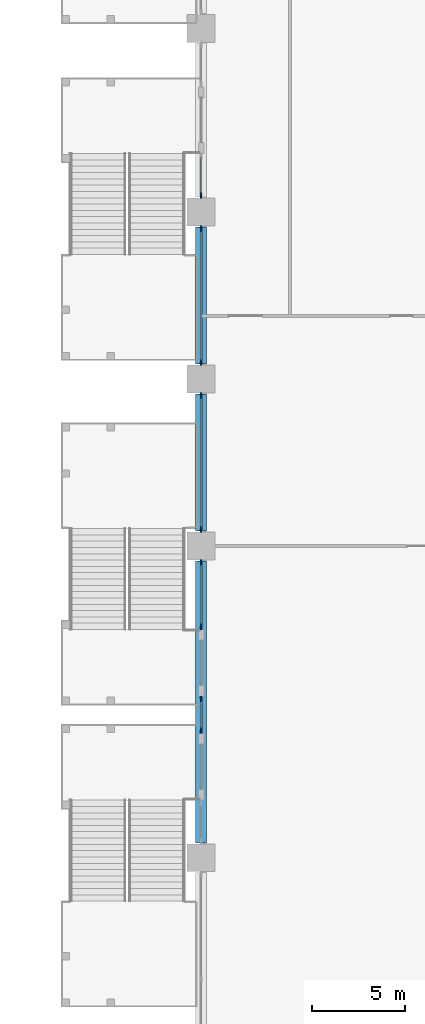
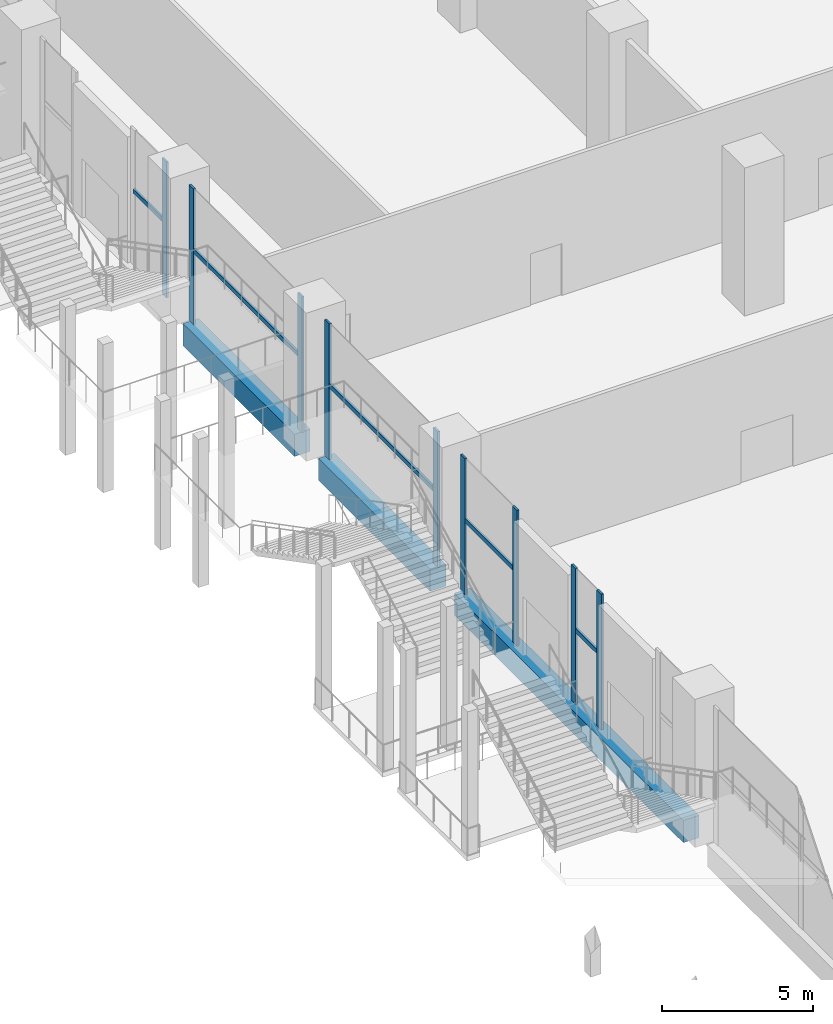
# One storey, part 6 of 49: 14 members, 3 beams, 5 elements without a shape of their own.
"""IFC4 building model written with IfcOpenShell, lengths in metres."""

import ifcopenshell
import ifcopenshell.guid

model = None  # the IFC model being written
_history = None  # IfcOwnerHistory: only IFC2X3 demands one
_inside = {}  # id of a spatial element -> (the spatial element, [elements in it])
_under = {}  # id of a project, library or spatial element -> (it, [spatial elements below it])
_declared = {}  # id of a project -> (the project, [libraries it declares])
_typed = {}  # id of a type object -> (the type object, [elements of that type])
_made_of = {}  # id of a material, layer set ... -> (it, [elements and type objects made of it])


def new_model(schema):
    """Start an empty IFC model of exactly this schema.

    Asked for "IFC4X3", IfcOpenShell would pick the latest addendum, in which some entities
    have other attributes; the version numbers below select the first issue.
    IFC2X3 requires an IfcOwnerHistory on every rooted entity: one is made here for all.
    """
    global model, _history
    if schema == "IFC4X3":
        model = ifcopenshell.file(schema_version=(4, 3, 0, 0))
    else:
        model = ifcopenshell.file(schema=schema)
    _inside.clear()
    _under.clear()
    _declared.clear()
    _typed.clear()
    _made_of.clear()
    _history = None
    if model.schema == "IFC2X3":
        org = make("IfcOrganization", Name="unknown")
        user = make(
            "IfcPersonAndOrganization",
            ThePerson=make("IfcPerson", FamilyName="unknown"),
            TheOrganization=org,
        )
        app = make(
            "IfcApplication",
            ApplicationDeveloper=org,
            Version="unknown",
            ApplicationFullName="unknown",
            ApplicationIdentifier="unknown",
        )
        _history = make(
            "IfcOwnerHistory",
            OwningUser=user,
            OwningApplication=app,
            ChangeAction="ADDED",
            CreationDate=0,
        )
    return model


def make(cls, **values):
    """One entity of the class cls with the attributes given. An attribute that is None is left unset."""
    return model.create_entity(
        cls, **{name: value for name, value in values.items() if value is not None}
    )


def rooted(cls, **values):
    """An entity with a GlobalId (a new one), such as an element, a storey or a relation."""
    return make(cls, GlobalId=ifcopenshell.guid.new(), OwnerHistory=_history, **values)


def si_unit(unit_type, name, prefix=None):
    """IfcSIUnit, for example si_unit("LENGTHUNIT", "METRE", prefix="MILLI")."""
    return make("IfcSIUnit", UnitType=unit_type, Prefix=prefix, Name=name)


def assignment(units):
    """IfcUnitAssignment: the units of a project."""
    return None if units is None else make("IfcUnitAssignment", Units=units)


def point(xyz):
    """IfcCartesianPoint."""
    return None if xyz is None else make("IfcCartesianPoint", Coordinates=xyz)


def direction(xyz):
    """IfcDirection."""
    return None if xyz is None else make("IfcDirection", DirectionRatios=xyz)


def frame(location, z_axis=None, x_axis=None):
    """IfcAxis2Placement3D, a coordinate frame: its origin and axes. An axis left out is left unset."""
    return make(
        "IfcAxis2Placement3D",
        Location=point(location),
        Axis=direction(z_axis),
        RefDirection=direction(x_axis),
    )


def frame_2d(location, x_axis=None):
    """IfcAxis2Placement2D, a coordinate frame in the plane: its origin and x axis."""
    return make(
        "IfcAxis2Placement2D", Location=point(location), RefDirection=direction(x_axis)
    )


def origin():
    """The frame at (0, 0, 0) with its axes left unset."""
    return frame((0.0, 0.0, 0.0))


def origin_2d():
    """The frame at (0, 0) in the plane with its x axis left unset."""
    return frame_2d((0.0, 0.0))


def place(relative_to, where):
    """IfcLocalPlacement: puts the frame where relative to a parent placement (None: the world)."""
    return make(
        "IfcLocalPlacement", PlacementRelTo=relative_to, RelativePlacement=where
    )


def context(
    kind, dimensions, precision=None, world=None, true_north=None, identifier=None
):
    """IfcGeometricRepresentationContext, for example the 3D "Model" context."""
    return make(
        "IfcGeometricRepresentationContext",
        ContextIdentifier=identifier,
        ContextType=kind,
        CoordinateSpaceDimension=dimensions,
        Precision=precision,
        WorldCoordinateSystem=world,
        TrueNorth=true_north,
    )


def subcontext(parent, identifier, kind, view, scale=None):
    """IfcGeometricRepresentationSubContext, for example "Body" below "Model"."""
    return make(
        "IfcGeometricRepresentationSubContext",
        ContextIdentifier=identifier,
        ContextType=kind,
        ParentContext=parent,
        TargetScale=scale,
        TargetView=view,
    )


def project(units=None, contexts=None):
    """IfcProject with its units and contexts."""
    return rooted(
        "IfcProject",
        Name="project",
        RepresentationContexts=contexts,
        UnitsInContext=assignment(units),
    )


def spatial(cls, under=None, at=None, **own):
    """A site, building, storey or space (cls), placed at a placement, below another one or the project."""
    s = rooted(cls, ObjectPlacement=at, **own)
    if under is not None:
        _under.setdefault(under.id(), (under, []))[1].append(s)
    return s


def profile(cls, at=None, kind="AREA", **sizes):
    """A parametric profile (cls). Its sizes go by their IFC names, for example OverallWidth=200.0."""
    return make(cls, ProfileType=kind, Position=at, **sizes)


def rectangle(**sizes):
    """IfcRectangleProfileDef."""
    return profile("IfcRectangleProfileDef", **sizes)


def extrude(swept, where, along, depth):
    """IfcExtrudedAreaSolid: the profile swept, set in the frame where, extruded along a direction by depth."""
    return make(
        "IfcExtrudedAreaSolid",
        SweptArea=swept,
        Position=where,
        ExtrudedDirection=direction(along),
        Depth=depth,
    )


def shape(context_of_items, identifier, shape_type, items):
    """IfcShapeRepresentation: the items that make up one representation, for example the "Body"."""
    return make(
        "IfcShapeRepresentation",
        ContextOfItems=context_of_items,
        RepresentationIdentifier=identifier,
        RepresentationType=shape_type,
        Items=items,
    )


def material(Name=None, Category=None):
    """IfcMaterial."""
    return make("IfcMaterial", Name=Name, Category=Category)


def material_profile(
    of_material, cross_section, Name=None, Category=None, Priority=None
):
    """IfcMaterialProfile: a cross section and its material."""
    return make(
        "IfcMaterialProfile",
        Name=Name,
        Material=of_material,
        Profile=cross_section,
        Priority=Priority,
        Category=Category,
    )


def profile_set(profiles, Name=None, composite=None):
    """IfcMaterialProfileSet."""
    return make(
        "IfcMaterialProfileSet",
        Name=Name,
        MaterialProfiles=profiles,
        CompositeProfile=composite,
    )


def made_of(thing, what):
    """Note that an element or type object is made of a material, layer set ...; save() writes the relation."""
    if what is not None:
        _made_of.setdefault(what.id(), (what, []))[1].append(thing)
    return thing


def type_object(cls, material=None, **own):
    """A type object (cls), such as IfcWallType, which elements share."""
    return made_of(rooted(cls, **own), material)


def element(
    cls,
    number,
    at=None,
    inside=None,
    cuts=None,
    type_object=None,
    material=None,
    context=None,
    identifier="Body",
    shape_type=None,
    held_by="IfcProductDefinitionShape",
    body=None,
    shapes=None,
    **own,
):
    """One element of the class cls, such as IfcWall. Its Tag is "e" and its number.

    at: its placement. inside: the storey or other place that contains it. cuts: it is an
    opening in that element (IfcRelVoidsElement). A single representation is given by context,
    identifier, shape_type and body (its items); several are given by shapes. held_by: the class
    of the entity that holds the representations. save() writes the other relations.
    """
    e = rooted(cls, Tag="e%d" % number, ObjectPlacement=at, **own)
    if body is not None:
        shapes = [shape(context, identifier, shape_type, body)]
    if shapes is not None:
        e.Representation = make(held_by, Representations=shapes)
    if inside is not None:
        _inside.setdefault(inside.id(), (inside, []))[1].append(e)
    if cuts is not None:
        rooted(
            "IfcRelVoidsElement", RelatingBuildingElement=cuts, RelatedOpeningElement=e
        )
    if type_object is not None:
        _typed.setdefault(type_object.id(), (type_object, []))[1].append(e)
    return made_of(e, material)


def aggregate(whole, parts):
    """IfcRelAggregates: a whole, such as a stair, and the parts it consists of."""
    return rooted("IfcRelAggregates", RelatingObject=whole, RelatedObjects=parts)


def save(model, path):
    """Write the relations noted so far, then the file.

    IfcRelAggregates (storeys below a building ...), IfcRelContainedInSpatialStructure (elements
    in a storey), IfcRelDefinesByType, IfcRelAssociatesMaterial and IfcRelDeclares: one each for
    every whole, place, type object, material and project.
    """
    for whole, parts in _under.values():
        aggregate(whole, parts)
    for where, things in _inside.values():
        rooted(
            "IfcRelContainedInSpatialStructure",
            RelatedElements=things,
            RelatingStructure=where,
        )
    for kind, things in _typed.values():
        rooted("IfcRelDefinesByType", RelatedObjects=things, RelatingType=kind)
    for what, things in _made_of.values():
        rooted("IfcRelAssociatesMaterial", RelatedObjects=things, RelatingMaterial=what)
    for by, libraries in _declared.values():
        rooted("IfcRelDeclares", RelatingContext=by, RelatedDefinitions=libraries)
    model.write(path)


model = new_model("IFC4")

# Units and contexts
model_context = context("Model", 3, precision=1e-05, world=origin(), true_north=direction((0.0, 1.0)))
body_context = subcontext(model_context, "Body", "Model", "MODEL_VIEW")
ifc_project = project(units=[si_unit("LENGTHUNIT", "METRE"), si_unit("AREAUNIT", "SQUARE_METRE"), si_unit("VOLUMEUNIT", "CUBIC_METRE"), si_unit("PLANEANGLEUNIT", "RADIAN"), si_unit("MASSUNIT", "GRAM", prefix="KILO")], contexts=[model_context])

# Site, building, storey
site_placement = place(None, origin())
site = spatial("IfcSite", under=ifc_project, at=site_placement, CompositionType="ELEMENT")
building_placement = place(site_placement, origin())
building = spatial("IfcBuilding", under=site, at=building_placement, Name="Candeia Pilgrim Tower and Theatre", CompositionType="ELEMENT")
storey_placement = place(building_placement, frame((0.0, 0.0, 17.0)))
storey = spatial("IfcBuildingStorey", under=building, at=storey_placement, Name="L02", CompositionType="ELEMENT", Elevation=17.0)

# Curtain wall, members
ifc_material_1 = material(Name="Aluminium framed podium glazing", Category="aluminium")
curtain_wall_type = type_object("IfcCurtainWallType", Name="CW-P curtain wall", PredefinedType="NOTDEFINED", material=ifc_material_1)
curtain_wall_1_placement = place(storey_placement, origin())
curtain_wall_1 = element("IfcCurtainWall", 1, at=curtain_wall_1_placement, inside=storey, type_object=curtain_wall_type, Name="Curtain wall CW-P L02.011", PredefinedType="NOTDEFINED")
ifc_material_2 = material(Name="Anodised aluminium", Category="aluminium")
ifc_material_profile_1 = material_profile(ifc_material_2, rectangle(XDim=0.080078125, YDim=0.300048828125, at=origin_2d()))
ifc_profile_set_1 = profile_set([ifc_material_profile_1], Name="Anodised aluminium")
member_type_1 = type_object("IfcMemberType", Name="CW-P mullion 80x300", PredefinedType="MULLION", material=ifc_profile_set_1)
member_1_placement = place(storey_placement, frame((58.800048828125, 88.050048828125, 0.0), z_axis=(0.0, 0.0, 1.0), x_axis=(-1.0, 0.0, 0.0)))
member_1 = element("IfcMember", 2, at=member_1_placement, type_object=member_type_1, Name="CW-P mullion 1", PredefinedType="MULLION", context=body_context, shape_type="SweptSolid", body=[
    extrude(rectangle(XDim=0.080078125, YDim=0.300048828125, at=origin_2d()), origin(), (0.0, 0.0, 1.0), 5.5),
])
member_2_placement = place(storey_placement, frame((58.800048828125, 89.75, 0.0), z_axis=(0.0, 0.0, 1.0), x_axis=(-1.0, 0.0, 0.0)))
member_2 = element("IfcMember", 3, at=member_2_placement, type_object=member_type_1, Name="CW-P mullion 2", PredefinedType="MULLION", context=body_context, shape_type="SweptSolid", body=[
    extrude(rectangle(XDim=0.080078125, YDim=0.300048828125, at=origin_2d()), origin(), (0.0, 0.0, 1.0), 5.5),
])

curtain_wall_2_placement = place(storey_placement, origin())
curtain_wall_2 = element("IfcCurtainWall", 4, at=curtain_wall_2_placement, inside=storey, type_object=curtain_wall_type, Name="Curtain wall CW-P L02.012", PredefinedType="NOTDEFINED")
member_3_placement = place(storey_placement, frame((58.800048828125, 93.64990234375, 0.0), z_axis=(0.0, 0.0, 1.0), x_axis=(-1.0, 0.0, 0.0)))
member_3 = element("IfcMember", 5, at=member_3_placement, type_object=member_type_1, Name="CW-P mullion 1", PredefinedType="MULLION", context=body_context, shape_type="SweptSolid", body=[
    extrude(rectangle(XDim=0.080078125, YDim=0.300048828125, at=origin_2d()), origin(), (0.0, 0.0, 1.0), 5.5),
])
member_4_placement = place(storey_placement, frame((58.800048828125, 97.10009765625, 0.0), z_axis=(0.0, 0.0, 1.0), x_axis=(-1.0, 0.0, 0.0)))
member_4 = element("IfcMember", 6, at=member_4_placement, type_object=member_type_1, Name="CW-P mullion 2", PredefinedType="MULLION", context=body_context, shape_type="SweptSolid", body=[
    extrude(rectangle(XDim=0.080078125, YDim=0.300048828125, at=origin_2d()), origin(), (0.0, 0.0, 1.0), 5.5),
])

curtain_wall_3_placement = place(storey_placement, origin())
curtain_wall_3 = element("IfcCurtainWall", 7, at=curtain_wall_3_placement, inside=storey, type_object=curtain_wall_type, Name="Curtain wall CW-P L02.020", PredefinedType="NOTDEFINED")
member_5_placement = place(storey_placement, frame((58.800048828125, 98.89990234375, 0.0), z_axis=(0.0, 0.0, 1.0), x_axis=(-1.0, 0.0, 0.0)))
member_5 = element("IfcMember", 8, at=member_5_placement, type_object=member_type_1, Name="CW-P mullion 1", PredefinedType="MULLION", context=body_context, shape_type="SweptSolid", body=[
    extrude(rectangle(XDim=0.080078125, YDim=0.300048828125, at=origin_2d()), origin(), (0.0, 0.0, 1.0), 5.5),
])
member_6_placement = place(storey_placement, frame((58.800048828125, 106.10009765625, 0.0), z_axis=(0.0, 0.0, 1.0), x_axis=(-1.0, 0.0, 0.0)))
member_6 = element("IfcMember", 9, at=member_6_placement, type_object=member_type_1, Name="CW-P mullion 2", PredefinedType="MULLION", context=body_context, shape_type="SweptSolid", body=[
    extrude(rectangle(XDim=0.080078125, YDim=0.300048828125, at=origin_2d()), origin(), (0.0, 0.0, 1.0), 5.5),
])

curtain_wall_4_placement = place(storey_placement, origin())
curtain_wall_4 = element("IfcCurtainWall", 10, at=curtain_wall_4_placement, inside=storey, type_object=curtain_wall_type, Name="Curtain wall CW-P L02.030", PredefinedType="NOTDEFINED")
member_7_placement = place(storey_placement, frame((58.800048828125, 107.89990234375, 0.0), z_axis=(0.0, 0.0, 1.0), x_axis=(-1.0, 0.0, 0.0)))
member_7 = element("IfcMember", 11, at=member_7_placement, type_object=member_type_1, Name="CW-P mullion 1", PredefinedType="MULLION", context=body_context, shape_type="SweptSolid", body=[
    extrude(rectangle(XDim=0.080078125, YDim=0.300048828125, at=origin_2d()), origin(), (0.0, 0.0, 1.0), 5.5),
])
member_8_placement = place(storey_placement, frame((58.800048828125, 115.10009765625, 0.0), z_axis=(0.0, 0.0, 1.0), x_axis=(-1.0, 0.0, 0.0)))
member_8 = element("IfcMember", 12, at=member_8_placement, type_object=member_type_1, Name="CW-P mullion 2", PredefinedType="MULLION", context=body_context, shape_type="SweptSolid", body=[
    extrude(rectangle(XDim=0.080078125, YDim=0.300048828125, at=origin_2d()), origin(), (0.0, 0.0, 1.0), 5.5),
])

# Curtain wall, member
curtain_wall_5_placement = place(storey_placement, origin())
curtain_wall_5 = element("IfcCurtainWall", 13, at=curtain_wall_5_placement, inside=storey, type_object=curtain_wall_type, Name="Curtain wall CW-P L02.040", PredefinedType="NOTDEFINED")
member_9_placement = place(storey_placement, frame((58.800048828125, 116.89990234375, 0.0), z_axis=(0.0, 0.0, 1.0), x_axis=(-1.0, 0.0, 0.0)))
member_9 = element("IfcMember", 14, at=member_9_placement, type_object=member_type_1, Name="CW-P mullion 1", PredefinedType="MULLION", context=body_context, shape_type="SweptSolid", body=[
    extrude(rectangle(XDim=0.080078125, YDim=0.300048828125, at=origin_2d()), origin(), (0.0, 0.0, 1.0), 5.5),
])

# Member
ifc_material_profile_2 = material_profile(ifc_material_2, rectangle(XDim=0.080078125, YDim=0.179931640625, at=origin_2d()))
ifc_profile_set_2 = profile_set([ifc_material_profile_2], Name="Anodised aluminium")
member_type_2 = type_object("IfcMemberType", Name="CW-P transom 80x180", PredefinedType="USERDEFINED", material=ifc_profile_set_2)
member_10_placement = place(storey_placement, frame((58.800048828125, 88.090087890625, 3.0), z_axis=(0.0, 1.0, 0.0), x_axis=(-1.0, 0.0, 0.0)))
member_10 = element("IfcMember", 15, at=member_10_placement, type_object=member_type_2, Name="CW-P transom 1.1", ObjectType="TRANSOM", PredefinedType="USERDEFINED", context=body_context, shape_type="SweptSolid", body=[
    extrude(rectangle(XDim=0.080078125, YDim=0.179931640625, at=origin_2d()), origin(), (0.0, 0.0, 1.0), 1.619873046875),
])

aggregate(curtain_wall_1, [member_1, member_2, member_10])

member_11_placement = place(storey_placement, frame((58.800048828125, 93.68994140625, 3.0), z_axis=(0.0, 1.0, 0.0), x_axis=(-1.0, 0.0, 0.0)))
member_11 = element("IfcMember", 16, at=member_11_placement, type_object=member_type_2, Name="CW-P transom 1.1", ObjectType="TRANSOM", PredefinedType="USERDEFINED", context=body_context, shape_type="SweptSolid", body=[
    extrude(rectangle(XDim=0.080078125, YDim=0.179931640625, at=origin_2d()), origin(), (0.0, 0.0, 1.0), 3.3701171875),
])

aggregate(curtain_wall_2, [member_3, member_4, member_11])

member_12_placement = place(storey_placement, frame((58.800048828125, 98.93994140625, 3.0), z_axis=(0.0, 1.0, 0.0), x_axis=(-1.0, 0.0, 0.0)))
member_12 = element("IfcMember", 17, at=member_12_placement, type_object=member_type_2, Name="CW-P transom 1.1", ObjectType="TRANSOM", PredefinedType="USERDEFINED", context=body_context, shape_type="SweptSolid", body=[
    extrude(rectangle(XDim=0.080078125, YDim=0.179931640625, at=origin_2d()), origin(), (0.0, 0.0, 1.0), 7.1201171875),
])

aggregate(curtain_wall_3, [member_5, member_6, member_12])

member_13_placement = place(storey_placement, frame((58.800048828125, 107.93994140625, 3.0), z_axis=(0.0, 1.0, 0.0), x_axis=(-1.0, 0.0, 0.0)))
member_13 = element("IfcMember", 18, at=member_13_placement, type_object=member_type_2, Name="CW-P transom 1.1", ObjectType="TRANSOM", PredefinedType="USERDEFINED", context=body_context, shape_type="SweptSolid", body=[
    extrude(rectangle(XDim=0.080078125, YDim=0.179931640625, at=origin_2d()), origin(), (0.0, 0.0, 1.0), 7.1201171875),
])

aggregate(curtain_wall_4, [member_7, member_8, member_13])

member_14_placement = place(storey_placement, frame((58.800048828125, 116.93994140625, 3.0), z_axis=(0.0, 1.0, 0.0), x_axis=(-1.0, 0.0, 0.0)))
member_14 = element("IfcMember", 19, at=member_14_placement, type_object=member_type_2, Name="CW-P transom 1.1", ObjectType="TRANSOM", PredefinedType="USERDEFINED", context=body_context, shape_type="SweptSolid", body=[
    extrude(rectangle(XDim=0.080078125, YDim=0.179931640625, at=origin_2d()), origin(), (0.0, 0.0, 1.0), 2.02001953125),
])

aggregate(curtain_wall_5, [member_9, member_14])

# Beams
ifc_material_3 = material(Name="Concrete C80/95", Category="concrete")
ifc_material_profile_3 = material_profile(ifc_material_3, rectangle(XDim=0.60009765625, YDim=0.89990234375, at=origin_2d()))
ifc_profile_set_3 = profile_set([ifc_material_profile_3], Name="Concrete C80/95")
beam_type = type_object("IfcBeamType", Name="RC 600x900 C80/95", PredefinedType="BEAM", material=ifc_profile_set_3)
for number, where, z_axis, x_axis, name in (
    (20, (58.800048828125, 115.199951171875, -0.449951171875), (0.0, -1.0, 0.0), (1.0, 0.0, 0.0), "Spandrel beam L02-19"),
    (21, (58.800048828125, 106.199951171875, -0.449951171875), (0.0, -1.0, 0.0), (1.0, 0.0, 0.0), "Spandrel beam L02-20"),
):
    element("IfcBeam", number, at=place(storey_placement, frame(where, z_axis=z_axis, x_axis=x_axis)), inside=storey, type_object=beam_type, Name=name, PredefinedType="BEAM", context=body_context, shape_type="SweptSolid", body=[
        extrude(rectangle(XDim=0.60009765625, YDim=0.89990234375, at=origin_2d()), origin(), (0.0, 0.0, 1.0), 7.39990234375),
    ])
beam_placement = place(storey_placement, frame((58.800048828125, 97.199951171875, -0.449951171875), z_axis=(0.0, -1.0, 0.0), x_axis=(1.0, 0.0, 0.0)))
element("IfcBeam", 22, at=beam_placement, inside=storey, type_object=beam_type, Name="Spandrel beam L02-21", PredefinedType="BEAM", context=body_context, shape_type="SweptSolid", body=[
    extrude(rectangle(XDim=0.60009765625, YDim=0.89990234375, at=origin_2d()), origin(), (0.0, 0.0, 1.0), 15.199951171875),
])

save(model, "model.ifc")
